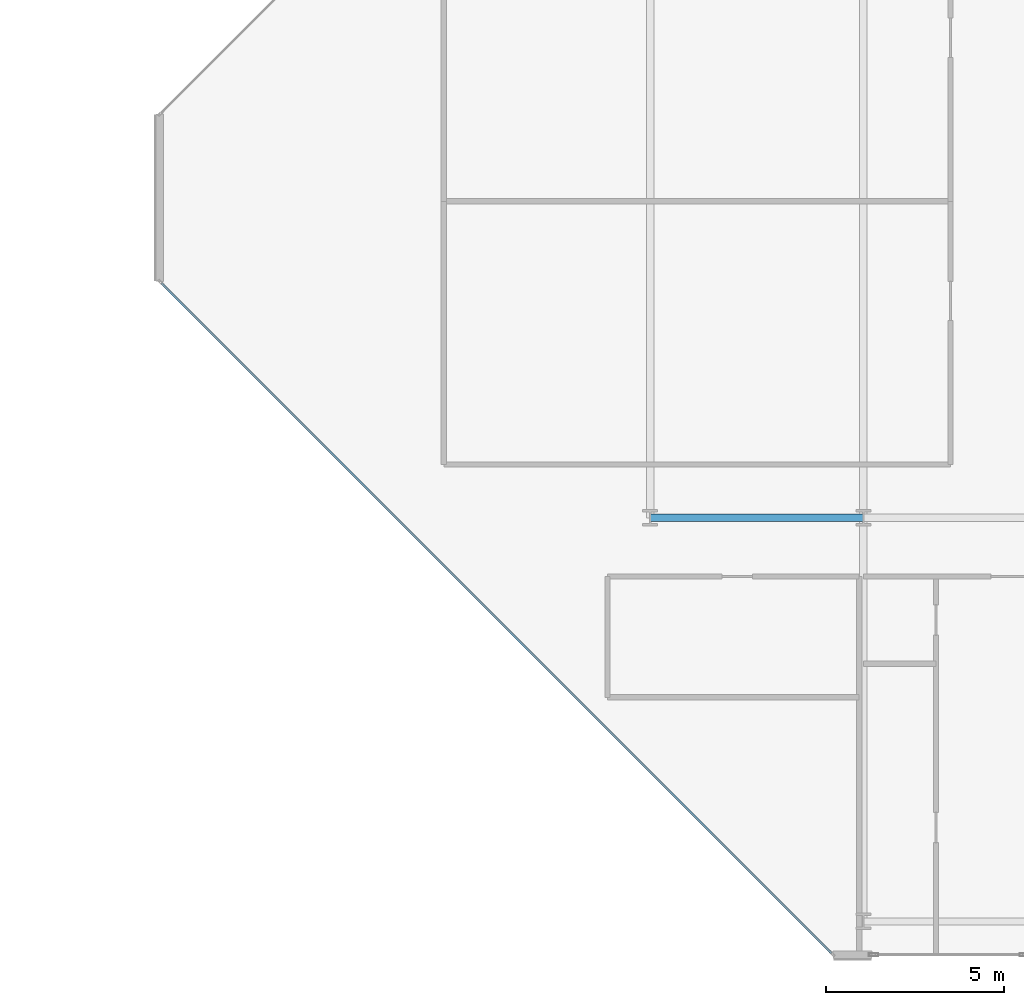
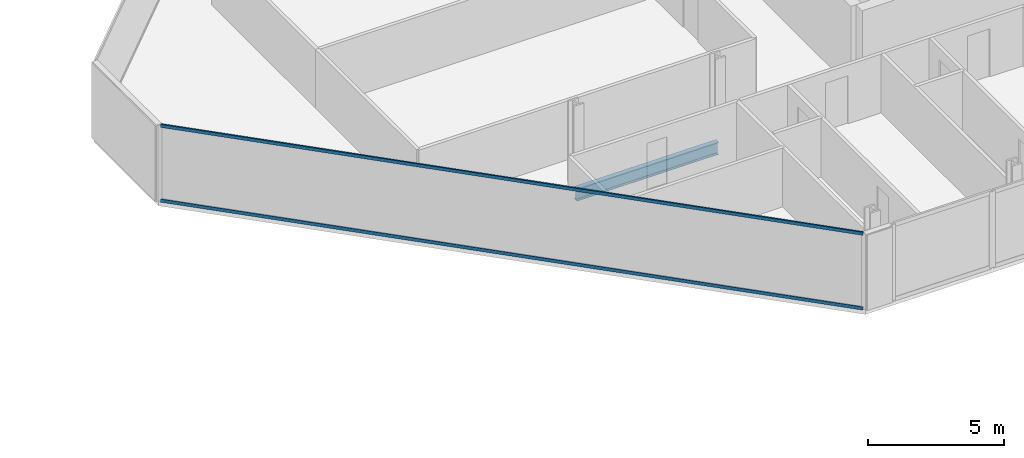
# One storey, part 3 of 19: 2 members, 1 beam, 1 element without a shape of its own.
"""IFC4 building model written with IfcOpenShell, lengths in metres."""

from ifc_helpers import new_model, si_unit, direction, frame, origin, origin_2d, place, context, subcontext, project, spatial, hollow_rectangle, i_section, extrude, material, layer, layer_set, material_profile, profile_set, type_object, element, aggregate, save


model = new_model("IFC4")

# Units and contexts
model_context = context("Model", 3, precision=1e-05, world=origin(), true_north=direction((0.0, 1.0)))
body_context = subcontext(model_context, "Body", "Model", "MODEL_VIEW")
ifc_project = project(units=[si_unit("LENGTHUNIT", "METRE"), si_unit("AREAUNIT", "SQUARE_METRE"), si_unit("VOLUMEUNIT", "CUBIC_METRE"), si_unit("PLANEANGLEUNIT", "RADIAN"), si_unit("MASSUNIT", "GRAM", prefix="KILO")], contexts=[model_context])

# Site, building, storey
site_placement = place(None, origin())
site = spatial("IfcSite", under=ifc_project, at=site_placement, CompositionType="ELEMENT")
building_placement = place(site_placement, origin())
building = spatial("IfcBuilding", under=site, at=building_placement, Name="Tanjung Sevakor Pilgrim Tower", CompositionType="ELEMENT")
storey_placement = place(building_placement, frame((0.0, 0.0, 260.699951171875)))
storey = spatial("IfcBuildingStorey", under=building, at=storey_placement, Name="L73", CompositionType="ELEMENT", Elevation=260.699951171875)

# Beam
ifc_material_1 = material(Name="Steel S355J2", Category="steel")
ifc_material_profile_1 = material_profile(ifc_material_1, i_section(OverallWidth=0.2119140625, OverallDepth=0.54443359375, WebThickness=0.0126953125, FlangeThickness=0.021240234375, FilletRadius=0.0126953125, at=origin_2d()))
ifc_profile_set_1 = profile_set([ifc_material_profile_1], Name="Steel S355J2")
beam_type = type_object("IfcBeamType", Name="BM-B-G5-UB_533x210x122", PredefinedType="BEAM", material=ifc_profile_set_1)
beam_placement = place(storey_placement, frame((66.0, 24.60009765625, -0.4921875), z_axis=(1.0, 0.0, 0.0), x_axis=(0.0, 1.0, 0.0)))
element("IfcBeam", 1, at=beam_placement, inside=storey, type_object=beam_type, Name="L73 Primary Floor Girder EAST Y246-01", PredefinedType="BEAM", context=body_context, shape_type="SweptSolid", body=[
    extrude(i_section(OverallWidth=0.2119140625, OverallDepth=0.54443359375, WebThickness=0.0126953125, FlangeThickness=0.021240234375, FilletRadius=0.0126953125, at=origin_2d()), origin(), (0.0, 0.0, 1.0), 6.0),
])

# Curtain wall, members
ifc_material_2 = material(Name="Aluminium 6063-T6 and Low-E Glass", Category="aluminium")
ifc_layer = layer(ifc_material_2, 0.179931640625)
ifc_layer_set = layer_set([ifc_layer], Name="CW-SYS-CHAM")
curtain_wall_type = type_object("IfcCurtainWallType", Name="CW-SYS-CHAM", PredefinedType="NOTDEFINED", material=ifc_layer_set)
curtain_wall_placement = place(storey_placement, origin())
curtain_wall = element("IfcCurtainWall", 2, at=curtain_wall_placement, inside=storey, type_object=curtain_wall_type, Name="L73 Curtain Wall CW-CHM-L73-EAST-7", PredefinedType="NOTDEFINED")
ifc_material_3 = material(Name="Aluminium 6063-T6", Category="aluminium")
ifc_material_profile_2 = material_profile(ifc_material_3, hollow_rectangle(XDim=0.06494140625, YDim=0.139892578125, WallThickness=0.00390625, at=origin_2d()))
ifc_profile_set_2 = profile_set([ifc_material_profile_2], Name="Aluminium 6063-T6")
member_type = type_object("IfcMemberType", Name="TYPE-CWT-1", PredefinedType="USERDEFINED", material=ifc_profile_set_2)
member_1_placement = place(storey_placement, frame((52.255859375, 31.19970703125, 0.032470703125), z_axis=(0.707106781187, -0.707106781187, 0.0), x_axis=(0.707106781187, 0.707106781187, 0.0)))
member_1 = element("IfcMember", 3, at=member_1_placement, type_object=member_type, Name="CW-CHM transom 1.1", ObjectType="TRANSOM", PredefinedType="USERDEFINED", context=body_context, shape_type="SweptSolid", body=[
    extrude(hollow_rectangle(XDim=0.06494140625, YDim=0.139892578125, WallThickness=0.00390625, at=origin_2d()), origin(), (0.0, 0.0, 1.0), 26.649169921875),
])
member_2_placement = place(storey_placement, frame((52.255859375, 31.19970703125, 3.37744140625), z_axis=(0.707106781187, -0.707106781187, 0.0), x_axis=(0.707106781187, 0.707106781187, 0.0)))
member_2 = element("IfcMember", 4, at=member_2_placement, type_object=member_type, Name="CW-CHM transom 1.2", ObjectType="TRANSOM", PredefinedType="USERDEFINED", context=body_context, shape_type="SweptSolid", body=[
    extrude(hollow_rectangle(XDim=0.06494140625, YDim=0.139892578125, WallThickness=0.00390625, at=origin_2d()), origin(), (0.0, 0.0, 1.0), 26.649169921875),
])
aggregate(curtain_wall, [member_1, member_2])

save(model, "model.ifc")
